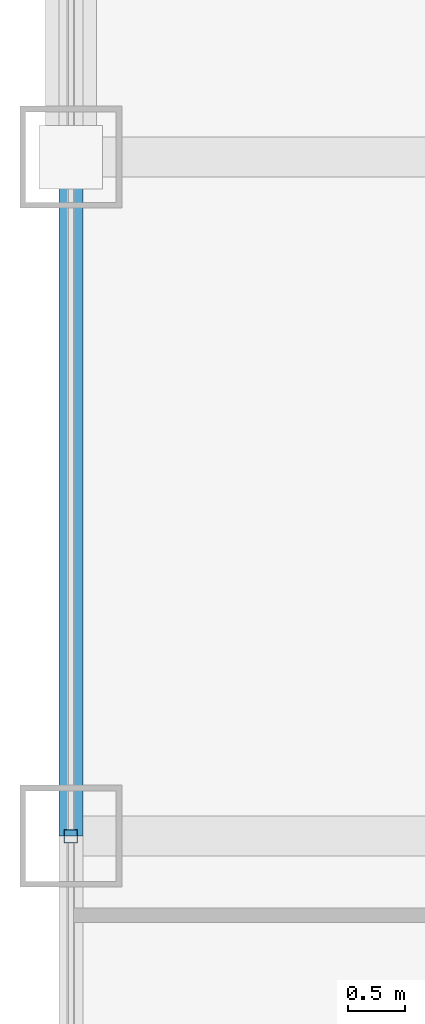
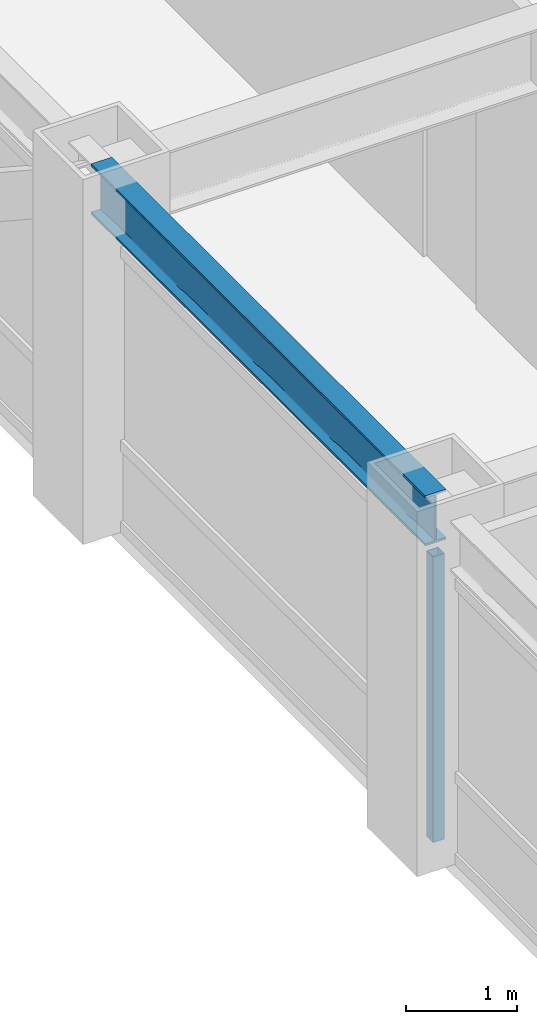
# One storey, part 6 of 29: 1 beam, 1 member, 1 element without a shape of its own.
"""IFC4 building model written with IfcOpenShell, lengths in metres."""

from ifc_helpers import new_model, si_unit, direction, frame, origin, origin_2d, place, context, subcontext, project, spatial, hollow_rectangle, i_section, extrude, source, transform, mapped, material, material_profile, profile_set, type_object, element, aggregate, save


model = new_model("IFC4")

# Units and contexts
model_context = context("Model", 3, precision=1e-05, world=origin(), true_north=direction((0.0, 1.0)))
body_context = subcontext(model_context, "Body", "Model", "MODEL_VIEW")
ifc_project = project(units=[si_unit("LENGTHUNIT", "METRE"), si_unit("AREAUNIT", "SQUARE_METRE"), si_unit("VOLUMEUNIT", "CUBIC_METRE"), si_unit("PLANEANGLEUNIT", "RADIAN"), si_unit("MASSUNIT", "GRAM", prefix="KILO")], contexts=[model_context])

# Site, building, storey
site_placement = place(None, origin())
site = spatial("IfcSite", under=ifc_project, at=site_placement, CompositionType="ELEMENT")
building_placement = place(site_placement, origin())
building = spatial("IfcBuilding", under=site, at=building_placement, Name="Khorayat Bourse Tower", CompositionType="ELEMENT")
storey_placement = place(building_placement, frame((0.0, 0.0, 277.5)))
storey = spatial("IfcBuildingStorey", under=building, at=storey_placement, Name="L65", CompositionType="ELEMENT", Elevation=277.5)

# Beam
ifc_material_1 = material(Name="Steel ASTM A992 Grade 50", Category="steel")
ifc_material_profile_1 = material_profile(ifc_material_1, i_section(OverallWidth=0.214111328125, OverallDepth=0.549072265625, WebThickness=0.0146484375, FlangeThickness=0.023681640625, FilletRadius=0.013916015625, at=origin_2d()), Name="W530X138")
ifc_profile_set_1 = profile_set([ifc_material_profile_1], Name="Steel ASTM A992 Grade 50")
beam_type = type_object("IfcBeamType", Name="BM-SPAN-530", PredefinedType="SPANDREL", material=ifc_profile_set_1)
shared_shape_1 = source(origin(), body_context, "Body", "SweptSolid", [
    extrude(i_section(OverallWidth=0.214111328125, OverallDepth=0.549072265625, WebThickness=0.0146484375, FlangeThickness=0.023681640625, FilletRadius=0.013916015625, at=origin_2d()), origin(), (0.0, 0.0, 1.0), 6.0),
])
beam_placement = place(storey_placement, frame((-28.0, 0.0, 3.505615234375), z_axis=(0.0, 1.0, 0.0), x_axis=(-1.0, 0.0, 0.0)))
element("IfcBeam", 1, at=beam_placement, inside=storey, type_object=beam_type, Name="L65 BM-SPAN-530 BM-L65-SPN-057", PredefinedType="SPANDREL", context=body_context, shape_type="MappedRepresentation", body=[
    mapped(shared_shape_1, transform((0.0, 0.0, 0.0), scale=1.0)),
])

# Curtain wall, member
ifc_material_2 = material(Name="Aluminium EN AW-6063 T6", Category="aluminium")
curtain_wall_type = type_object("IfcCurtainWallType", Name="CW-SYS-04", PredefinedType="NOTDEFINED", material=ifc_material_2)
curtain_wall_placement = place(storey_placement, origin())
curtain_wall = element("IfcCurtainWall", 2, at=curtain_wall_placement, inside=storey, type_object=curtain_wall_type, Name="L65 Curtain Wall CW-L65-W1", PredefinedType="NOTDEFINED")
ifc_material_profile_2 = material_profile(ifc_material_2, hollow_rectangle(XDim=0.1201171875, YDim=0.1201171875, WallThickness=0.0048828125, at=origin_2d()), Name="ALU 120x120x5")
ifc_profile_set_2 = profile_set([ifc_material_profile_2], Name="Aluminium EN AW-6063 T6")
member_type = type_object("IfcMemberType", Name="CWM-VERT-120", PredefinedType="MULLION", material=ifc_profile_set_2)
shared_shape_2 = source(origin(), body_context, "Body", "SweptSolid", [
    extrude(hollow_rectangle(XDim=0.1201171875, YDim=0.1201171875, WallThickness=0.0048828125, at=origin_2d()), origin(), (0.0, 0.0, 1.0), 3.1298828125),
])
member_placement = place(storey_placement, frame((-28.0, 0.0, 0.0), z_axis=(0.0, 0.0, 1.0), x_axis=(-1.0, 0.0, 0.0)))
member = element("IfcMember", 3, at=member_placement, type_object=member_type, Name="CW-L65-W1 Vertical Mullion 2", PredefinedType="MULLION", context=body_context, shape_type="MappedRepresentation", body=[
    mapped(shared_shape_2, transform((0.0, 0.0, 0.0), scale=1.0)),
])
aggregate(curtain_wall, [member])

save(model, "model.ifc")
